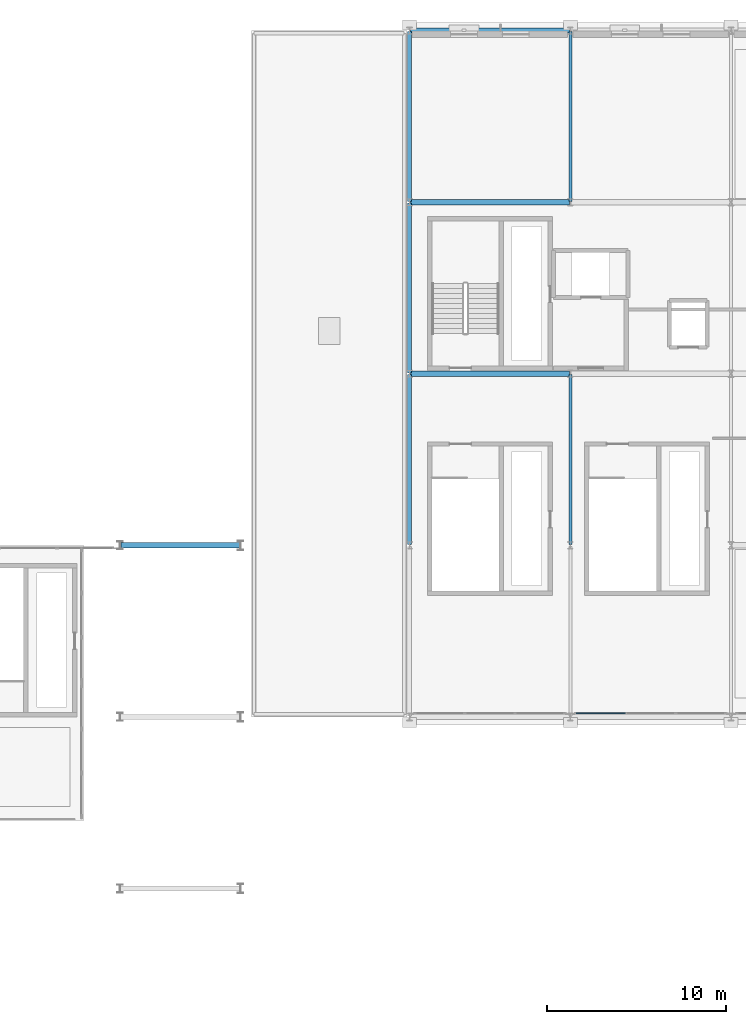
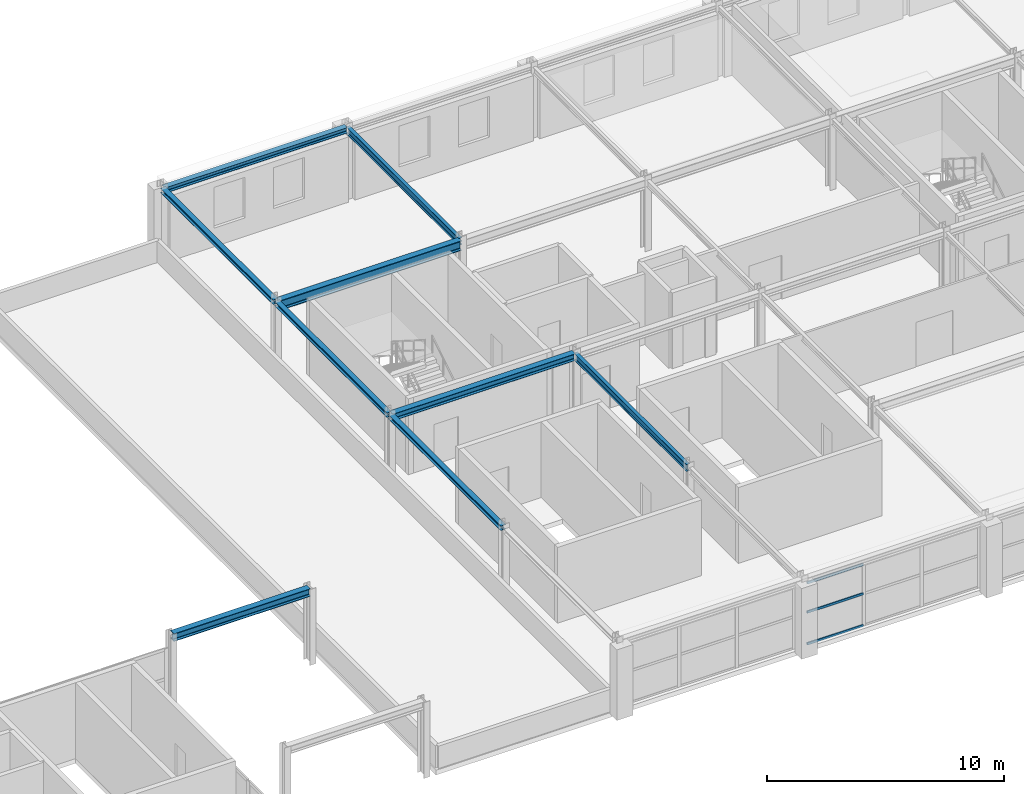
# One storey, part 24 of 52: 9 beams, 3 members, 1 element without a shape of its own.
"""IFC4 building model written with IfcOpenShell, lengths in metres."""

from ifc_helpers import new_model, si_unit, direction, frame, origin, origin_2d, place, context, subcontext, project, spatial, rectangle, i_section, extrude, material, layer, layer_set, material_profile, profile_set, type_object, element, aggregate, save


model = new_model("IFC4")

# Units and contexts
model_context = context("Model", 3, precision=1e-05, world=origin(), true_north=direction((0.0, 1.0)))
body_context = subcontext(model_context, "Body", "Model", "MODEL_VIEW")
ifc_project = project(units=[si_unit("LENGTHUNIT", "METRE"), si_unit("AREAUNIT", "SQUARE_METRE"), si_unit("VOLUMEUNIT", "CUBIC_METRE"), si_unit("PLANEANGLEUNIT", "RADIAN"), si_unit("MASSUNIT", "GRAM", prefix="KILO")], contexts=[model_context])

# Site, building, storey
site_placement = place(None, origin())
site = spatial("IfcSite", under=ifc_project, at=site_placement, CompositionType="ELEMENT")
building_placement = place(site_placement, origin())
building = spatial("IfcBuilding", under=site, at=building_placement, Name="Myrtia Square Station", CompositionType="ELEMENT")
storey_placement = place(building_placement, frame((0.0, 0.0, 15.0)))
storey = spatial("IfcBuildingStorey", under=building, at=storey_placement, Name="L03", CompositionType="ELEMENT", Elevation=15.0)

# Beams
ifc_material_1 = material(Name="Steel S355", Category="steel")
ifc_material_profile_1 = material_profile(ifc_material_1, i_section(OverallWidth=0.300048828125, OverallDepth=0.35009765625, WebThickness=0.010009765625, FlangeThickness=0.017578125, FilletRadius=0.027099609375, at=origin_2d()), Name="HEA 360")
ifc_profile_set_1 = profile_set([ifc_material_profile_1], Name="Steel S355")
beam_type_1 = type_object("IfcBeamType", Name="BM-HEA360", PredefinedType="BEAM", material=ifc_profile_set_1)
beam_1_placement = place(storey_placement, frame((126.050048828125, 105.60009765625, 3.485107421875), z_axis=(1.0, 0.0, 0.0), x_axis=(0.0, 1.0, 0.0)))
element("IfcBeam", 1, at=beam_1_placement, inside=storey, type_object=beam_type_1, Name="Structural girder BMX-L03-0829", PredefinedType="BEAM", context=body_context, shape_type="SweptSolid", body=[
    extrude(i_section(OverallWidth=0.300048828125, OverallDepth=0.35009765625, WebThickness=0.010009765625, FlangeThickness=0.017578125, FilletRadius=0.027099609375, at=origin_2d()), origin(), (0.0, 0.0, 1.0), 8.89990234375),
])
ifc_material_profile_2 = material_profile(ifc_material_1, i_section(OverallWidth=0.300048828125, OverallDepth=0.39990234375, WebThickness=0.013427734375, FlangeThickness=0.02392578125, FilletRadius=0.027099609375, at=origin_2d()), Name="HEB 400")
ifc_profile_set_2 = profile_set([ifc_material_profile_2], Name="Steel S355")
beam_type_2 = type_object("IfcBeamType", Name="BM-HEB400", PredefinedType="BEAM", material=ifc_profile_set_2)
beam_2_placement = place(storey_placement, frame((109.85009765625, 96.0, 3.64990234375), z_axis=(1.0, 0.0, 0.0), x_axis=(0.0, 1.0, 0.0)))
element("IfcBeam", 2, at=beam_2_placement, inside=storey, type_object=beam_type_2, Name="Colonnade overhang tie beam 027", PredefinedType="BEAM", context=body_context, shape_type="SweptSolid", body=[
    extrude(i_section(OverallWidth=0.300048828125, OverallDepth=0.39990234375, WebThickness=0.013427734375, FlangeThickness=0.02392578125, FilletRadius=0.027099609375, at=origin_2d()), origin(), (0.0, 0.0, 1.0), 6.64990234375),
])
ifc_material_profile_3 = material_profile(ifc_material_1, i_section(OverallWidth=0.300048828125, OverallDepth=0.5, WebThickness=0.014404296875, FlangeThickness=0.028076171875, FilletRadius=0.027099609375, at=origin_2d()), Name="HEB 500")
ifc_profile_set_3 = profile_set([ifc_material_profile_3], Name="Steel S355")
beam_type_3 = type_object("IfcBeamType", Name="BM-HEB500", PredefinedType="BEAM", material=ifc_profile_set_3)
beam_3_placement = place(storey_placement, frame((126.050048828125, 115.199951171875, 3.409912109375), z_axis=(1.0, 0.0, 0.0), x_axis=(0.0, 1.0, 0.0)))
element("IfcBeam", 3, at=beam_3_placement, inside=storey, type_object=beam_type_3, Name="Structural girder BMX-L03-0836", PredefinedType="BEAM", context=body_context, shape_type="SweptSolid", body=[
    extrude(i_section(OverallWidth=0.300048828125, OverallDepth=0.5, WebThickness=0.014404296875, FlangeThickness=0.028076171875, FilletRadius=0.027099609375, at=origin_2d()), origin(), (0.0, 0.0, 1.0), 8.89990234375),
])
ifc_material_profile_4 = material_profile(ifc_material_1, i_section(OverallWidth=0.169921875, OverallDepth=0.360107421875, WebThickness=0.008056640625, FlangeThickness=0.0126953125, FilletRadius=0.01806640625, at=origin_2d()), Name="IPE 360")
ifc_profile_set_4 = profile_set([ifc_material_profile_4], Name="Steel S355")
beam_type_4 = type_object("IfcBeamType", Name="BM-IPE360", PredefinedType="BEAM", material=ifc_profile_set_4)
for number, where, z_axis, x_axis, name in (
    (4, (135.0, 96.050048828125, 3.47998046875), (0.0, 1.0, 0.0), (-1.0, 0.0, 0.0), "Structural girder BMY-L03-0844"),
    (5, (135.0, 115.25, 3.47998046875), (0.0, 1.0, 0.0), (-1.0, 0.0, 0.0), "Structural girder BMY-L03-0845"),
):
    element("IfcBeam", number, at=place(storey_placement, frame(where, z_axis=z_axis, x_axis=x_axis)), inside=storey, type_object=beam_type_4, Name=name, PredefinedType="BEAM", context=body_context, shape_type="SweptSolid", body=[
        extrude(i_section(OverallWidth=0.169921875, OverallDepth=0.360107421875, WebThickness=0.008056640625, FlangeThickness=0.0126953125, FilletRadius=0.01806640625, at=origin_2d()), origin(), (0.0, 0.0, 1.0), 9.5),
    ])

# Curtain wall, members
ifc_material_2 = material(Name="Dark bronze anodised aluminium", Category="aluminium")
ifc_layer = layer(ifc_material_2, 0.159912109375, Name="Dark bronze anodised aluminium")
ifc_layer_set = layer_set([ifc_layer], Name="Dark bronze anodised aluminium")
curtain_wall_type = type_object("IfcCurtainWallType", Name="CW-TYPE-41-845x320", PredefinedType="USERDEFINED", material=ifc_layer_set)
curtain_wall_placement = place(storey_placement, origin())
curtain_wall = element("IfcCurtainWall", 6, at=curtain_wall_placement, inside=storey, type_object=curtain_wall_type, Name="Concourse curtain wall CW-L03-125", ObjectType="CONCOURSE CURTAIN WALL", PredefinedType="USERDEFINED")
ifc_material_profile_5 = material_profile(ifc_material_2, rectangle(XDim=0.06005859375, YDim=0.1201171875, at=origin_2d()), Name="ALU-T 60x120")
ifc_profile_set_5 = profile_set([ifc_material_profile_5], Name="Dark bronze anodised aluminium")
member_type = type_object("IfcMemberType", Name="CWT-60x120", PredefinedType="USERDEFINED", material=ifc_profile_set_5)
member_1_placement = place(storey_placement, frame((135.3349609375, 86.60009765625, 0.030029296875), z_axis=(1.0, 0.0, 0.0), x_axis=(0.0, 1.0, 0.0)))
member_1 = element("IfcMember", 7, at=member_1_placement, type_object=member_type, Name="CW-125 transom 1.1", ObjectType="TRANSOM", PredefinedType="USERDEFINED", context=body_context, shape_type="SweptSolid", body=[
    extrude(rectangle(XDim=0.06005859375, YDim=0.1201171875, at=origin_2d()), origin(), (0.0, 0.0, 1.0), 2.726806640625),
])
member_2_placement = place(storey_placement, frame((135.3349609375, 86.60009765625, 1.6640625), z_axis=(1.0, 0.0, 0.0), x_axis=(0.0, 1.0, 0.0)))
member_2 = element("IfcMember", 8, at=member_2_placement, type_object=member_type, Name="CW-125 transom 1.2", ObjectType="TRANSOM", PredefinedType="USERDEFINED", context=body_context, shape_type="SweptSolid", body=[
    extrude(rectangle(XDim=0.06005859375, YDim=0.1201171875, at=origin_2d()), origin(), (0.0, 0.0, 1.0), 2.726806640625),
])
member_3_placement = place(storey_placement, frame((135.3349609375, 86.60009765625, 3.169921875), z_axis=(1.0, 0.0, 0.0), x_axis=(0.0, 1.0, 0.0)))
member_3 = element("IfcMember", 9, at=member_3_placement, type_object=member_type, Name="CW-125 transom 1.3", ObjectType="TRANSOM", PredefinedType="USERDEFINED", context=body_context, shape_type="SweptSolid", body=[
    extrude(rectangle(XDim=0.06005859375, YDim=0.1201171875, at=origin_2d()), origin(), (0.0, 0.0, 1.0), 2.726806640625),
])
aggregate(curtain_wall, [member_1, member_2, member_3])

# Beams
ifc_material_profile_6 = material_profile(ifc_material_1, i_section(OverallWidth=0.239990234375, OverallDepth=0.239990234375, WebThickness=0.010009765625, FlangeThickness=0.01708984375, FilletRadius=0.02099609375, at=origin_2d()), Name="HEB 240")
ifc_profile_set_6 = profile_set([ifc_material_profile_6], Name="Steel S355")
beam_type_5 = type_object("IfcBeamType", Name="SPN-HEB240", PredefinedType="SPANDREL", material=ifc_profile_set_6)
for number, where, z_axis, x_axis, name in (
    (10, (126.0, 96.050048828125, 3.5400390625), (0.0, 1.0, 0.0), (-1.0, 0.0, 0.0), "Structural girder SPNY-L03-0250"),
    (11, (126.0, 105.64990234375, 3.5400390625), (0.0, 1.0, 0.0), (-1.0, 0.0, 0.0), "Structural girder SPNY-L03-0251"),
    (12, (126.0, 115.25, 3.5400390625), (0.0, 1.0, 0.0), (-1.0, 0.0, 0.0), "Structural girder SPNY-L03-0252"),
):
    element("IfcBeam", number, at=place(storey_placement, frame(where, z_axis=z_axis, x_axis=x_axis)), inside=storey, type_object=beam_type_5, Name=name, PredefinedType="SPANDREL", context=body_context, shape_type="SweptSolid", body=[
        extrude(i_section(OverallWidth=0.239990234375, OverallDepth=0.239990234375, WebThickness=0.010009765625, FlangeThickness=0.01708984375, FilletRadius=0.02099609375, at=origin_2d()), origin(), (0.0, 0.0, 1.0), 9.5),
    ])
ifc_material_profile_7 = material_profile(ifc_material_1, i_section(OverallWidth=0.280029296875, OverallDepth=0.280029296875, WebThickness=0.010498046875, FlangeThickness=0.01806640625, FilletRadius=0.02392578125, at=origin_2d()), Name="HEB 280")
ifc_profile_set_7 = profile_set([ifc_material_profile_7], Name="Steel S355")
beam_type_6 = type_object("IfcBeamType", Name="SPN-HEB280", PredefinedType="SPANDREL", material=ifc_profile_set_7)
beam_4_placement = place(storey_placement, frame((126.050048828125, 124.800048828125, 3.52001953125), z_axis=(1.0, 0.0, 0.0), x_axis=(0.0, 1.0, 0.0)))
element("IfcBeam", 13, at=beam_4_placement, inside=storey, type_object=beam_type_6, Name="Structural girder SPN-L03-0242", PredefinedType="SPANDREL", context=body_context, shape_type="SweptSolid", body=[
    extrude(i_section(OverallWidth=0.280029296875, OverallDepth=0.280029296875, WebThickness=0.010498046875, FlangeThickness=0.01806640625, FilletRadius=0.02392578125, at=origin_2d()), origin(), (0.0, 0.0, 1.0), 8.89990234375),
])

save(model, "model.ifc")
